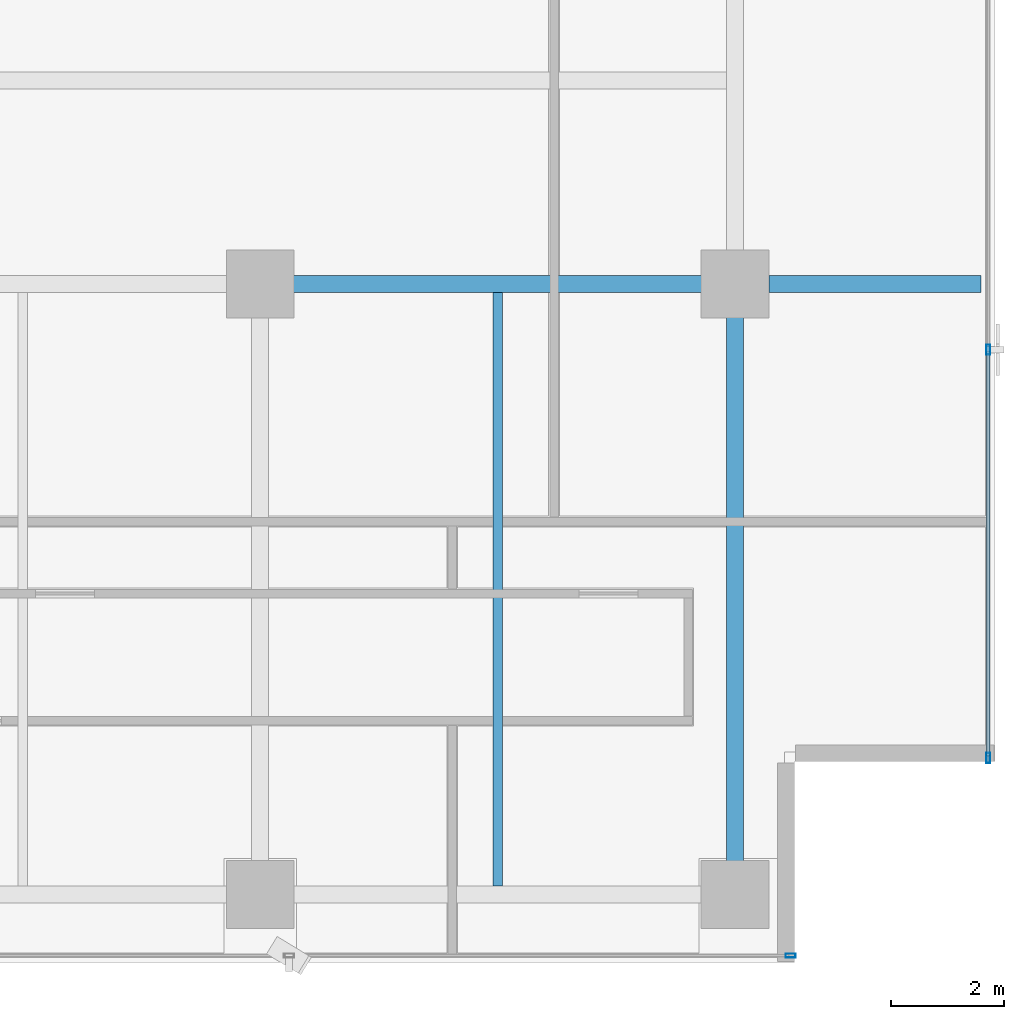
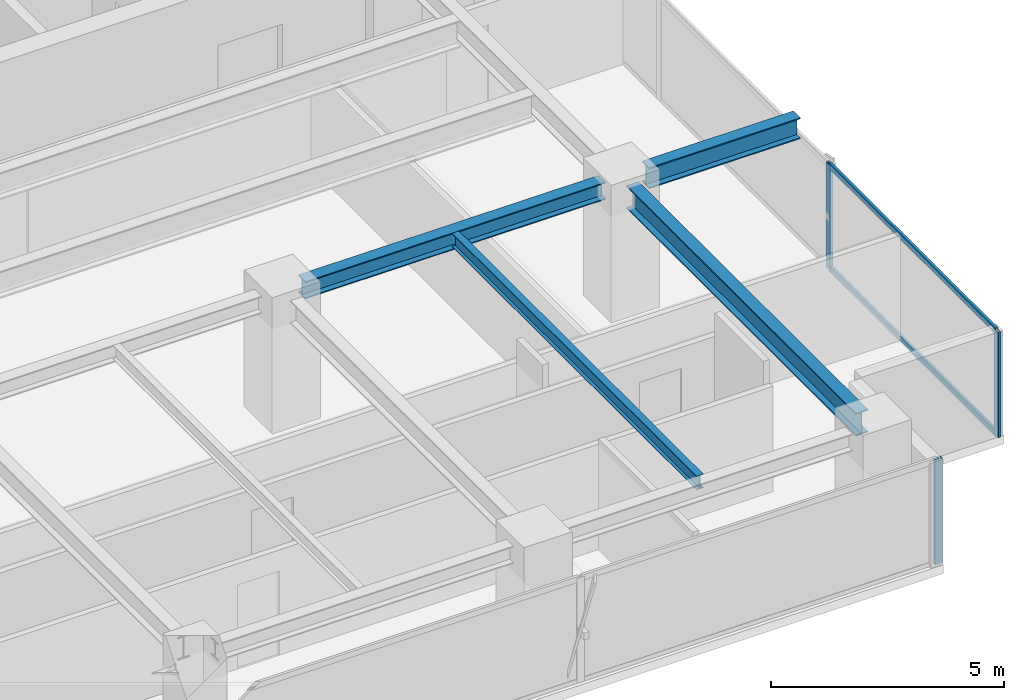
# One storey, part 8 of 22: 5 members, 4 beams, 2 elements without a shape of their own.
"""IFC4 building model written with IfcOpenShell, lengths in metres."""

from ifc_helpers import new_model, si_unit, direction, frame, origin, origin_2d, place, context, subcontext, project, spatial, hollow_rectangle, i_section, extrude, source, transform, mapped, material, layer, layer_set, material_profile, profile_set, type_object, element, aggregate, save


model = new_model("IFC4")

# Units and contexts
model_context = context("Model", 3, precision=1e-05, world=origin(), true_north=direction((0.0, 1.0)))
body_context = subcontext(model_context, "Body", "Model", "MODEL_VIEW")
ifc_project = project(units=[si_unit("LENGTHUNIT", "METRE"), si_unit("AREAUNIT", "SQUARE_METRE"), si_unit("VOLUMEUNIT", "CUBIC_METRE"), si_unit("PLANEANGLEUNIT", "RADIAN"), si_unit("MASSUNIT", "GRAM", prefix="KILO")], contexts=[model_context])

# Site, building, storey
site_placement = place(None, origin())
site = spatial("IfcSite", under=ifc_project, at=site_placement, CompositionType="ELEMENT")
building_placement = place(site_placement, origin())
building = spatial("IfcBuilding", under=site, at=building_placement, Name="Sumidabori Civic Tower", CompositionType="ELEMENT")
storey_placement = place(building_placement, frame((0.0, 0.0, 279.199951171875)))
storey = spatial("IfcBuildingStorey", under=building, at=storey_placement, Name="L73", CompositionType="ELEMENT", Elevation=279.199951171875)

# Beams
ifc_material_1 = material(Name="Steel SN490", Category="steel")
ifc_material_profile_1 = material_profile(ifc_material_1, i_section(OverallWidth=0.300048828125, OverallDepth=0.60009765625, WebThickness=0.015380859375, FlangeThickness=0.030029296875, at=origin_2d()), Name="HE 600 B")
ifc_profile_set_1 = profile_set([ifc_material_profile_1], Name="Steel SN490")
beam_type_1 = type_object("IfcBeamType", Name="BM-GIRD-600", PredefinedType="BEAM", material=ifc_profile_set_1)
shared_shape_1 = source(origin(), body_context, "Body", "SweptSolid", [
    extrude(i_section(OverallWidth=0.300048828125, OverallDepth=0.60009765625, WebThickness=0.015380859375, FlangeThickness=0.030029296875, at=origin_2d()), origin(), (0.0, 0.0, 1.0), 9.840087890625),
])
beam_1_placement = place(storey_placement, frame((16.800048828125, -10.320068359375, 3.070068359375), z_axis=(0.0, 1.0, 0.0), x_axis=(-1.0, 0.0, 0.0)))
element("IfcBeam", 1, at=beam_1_placement, inside=storey, type_object=beam_type_1, Name="Primary Girder L73 GY-15", PredefinedType="BEAM", context=body_context, shape_type="MappedRepresentation", body=[
    mapped(shared_shape_1, transform((0.0, 0.0, 0.0), x_axis=(1.0, 0.0, 0.0), y_axis=(0.0, 1.0, 0.0), z_axis=(0.0, 0.0, 1.0), scale=1.0)),
])
ifc_material_profile_2 = material_profile(ifc_material_1, i_section(OverallWidth=0.300048828125, OverallDepth=0.449951171875, WebThickness=0.013916015625, FlangeThickness=0.02587890625, at=origin_2d()), Name="HE 450 B")
ifc_profile_set_2 = profile_set([ifc_material_profile_2], Name="Steel SN490")
beam_type_2 = type_object("IfcBeamType", Name="BM-GIRD-450", PredefinedType="BEAM", material=ifc_profile_set_2)
shared_shape_2 = source(origin(), body_context, "Body", "SweptSolid", [
    extrude(i_section(OverallWidth=0.300048828125, OverallDepth=0.449951171875, WebThickness=0.013916015625, FlangeThickness=0.02587890625, at=origin_2d()), origin(), (0.0, 0.0, 1.0), 7.440185546875),
])
beam_2_placement = place(storey_placement, frame((8.8798828125, 0.0, 3.14501953125), z_axis=(1.0, 0.0, 0.0), x_axis=(0.0, 1.0, 0.0)))
element("IfcBeam", 2, at=beam_2_placement, inside=storey, type_object=beam_type_2, Name="Primary Girder L73 GX-08", PredefinedType="BEAM", context=body_context, shape_type="MappedRepresentation", body=[
    mapped(shared_shape_2, transform((0.0, 0.0, 0.0), x_axis=(1.0, 0.0, 0.0), y_axis=(0.0, 1.0, 0.0), z_axis=(0.0, 0.0, 1.0), scale=1.0)),
])
ifc_material_profile_3 = material_profile(ifc_material_1, i_section(OverallWidth=0.169921875, OverallDepth=0.360107421875, WebThickness=0.008056640625, FlangeThickness=0.0126953125, at=origin_2d()), Name="IPE 360")
ifc_profile_set_3 = profile_set([ifc_material_profile_3], Name="Steel SN490")
beam_type_3 = type_object("IfcBeamType", Name="BM-JST-360", PredefinedType="JOIST", material=ifc_profile_set_3)
shared_shape_3 = source(origin(), body_context, "Body", "SweptSolid", [
    extrude(i_section(OverallWidth=0.169921875, OverallDepth=0.360107421875, WebThickness=0.008056640625, FlangeThickness=0.0126953125, at=origin_2d()), origin(), (0.0, 0.0, 1.0), 10.5),
])
beam_3_placement = place(storey_placement, frame((12.60009765625, -10.64990234375, 3.18994140625), z_axis=(0.0, 1.0, 0.0), x_axis=(-1.0, 0.0, 0.0)))
element("IfcBeam", 3, at=beam_3_placement, inside=storey, type_object=beam_type_3, Name="Upper Lens N-S Floor Joist L73 JSTV-27", PredefinedType="JOIST", context=body_context, shape_type="MappedRepresentation", body=[
    mapped(shared_shape_3, transform((0.0, 0.0, 0.0), x_axis=(1.0, 0.0, 0.0), y_axis=(0.0, 1.0, 0.0), z_axis=(0.0, 0.0, 1.0), scale=1.0)),
])
ifc_material_profile_4 = material_profile(ifc_material_1, i_section(OverallWidth=0.300048828125, OverallDepth=0.550048828125, WebThickness=0.014892578125, FlangeThickness=0.029052734375, at=origin_2d()), Name="HE 550 B")
ifc_profile_set_4 = profile_set([ifc_material_profile_4], Name="Steel SN490")
beam_type_4 = type_object("IfcBeamType", Name="BM-Z4-EDGE", PredefinedType="SPANDREL", material=ifc_profile_set_4)
shared_shape_4 = source(origin(), body_context, "Body", "SweptSolid", [
    extrude(i_section(OverallWidth=0.300048828125, OverallDepth=0.550048828125, WebThickness=0.014892578125, FlangeThickness=0.029052734375, at=origin_2d()), origin(), (0.0, 0.0, 1.0), 3.75),
])
beam_4_placement = place(storey_placement, frame((17.39990234375, 0.0, 3.094970703125), z_axis=(1.0, 0.0, 0.0), x_axis=(0.0, 1.0, 0.0)))
element("IfcBeam", 4, at=beam_4_placement, inside=storey, type_object=beam_type_4, Name="Perimeter Overhang Beam L73 E-18", PredefinedType="SPANDREL", context=body_context, shape_type="MappedRepresentation", body=[
    mapped(shared_shape_4, transform((0.0, 0.0, 0.0), x_axis=(1.0, 0.0, 0.0), y_axis=(0.0, 1.0, 0.0), z_axis=(0.0, 0.0, 1.0), scale=1.0)),
])

# Curtain wall, member
ifc_material_2 = material(Name="Anodised Bronze Aluminium AW-6063-T6", Category="aluminium")
ifc_layer = layer(ifc_material_2, 0.179931640625, Name="Anodised Bronze Aluminium AW-6063-T6")
ifc_layer_set = layer_set([ifc_layer], Name="Anodised Bronze Aluminium AW-6063-T6")
curtain_wall_type = type_object("IfcCurtainWallType", Name="CW-SYS-6", PredefinedType="NOTDEFINED", material=ifc_layer_set)
curtain_wall_1_placement = place(storey_placement, origin())
curtain_wall_1 = element("IfcCurtainWall", 5, at=curtain_wall_1_placement, inside=storey, type_object=curtain_wall_type, Name="Curtain Wall CW:L73:R01", PredefinedType="NOTDEFINED")
ifc_material_profile_5 = material_profile(ifc_material_2, hollow_rectangle(XDim=0.070068359375, YDim=0.179931640625, WallThickness=0.006103515625, at=origin_2d()), Name="ALU MULLION 180x70")
ifc_profile_set_5 = profile_set([ifc_material_profile_5], Name="Anodised Bronze Aluminium AW-6063-T6")
member_type_1 = type_object("IfcMemberType", Name="CW-MUL-180", PredefinedType="MULLION", material=ifc_profile_set_5)
shared_shape_5 = source(origin(), body_context, "Body", "SweptSolid", [
    extrude(hollow_rectangle(XDim=0.070068359375, YDim=0.179931640625, WallThickness=0.006103515625, at=origin_2d()), origin(), (0.0, 0.0, 1.0), 2.75),
])
member_1_placement = place(storey_placement, frame((17.784912109375, -11.8798828125, 0.0), z_axis=(0.0, 0.0, 1.0), x_axis=(0.0, 1.0, 0.0)))
member_1 = element("IfcMember", 6, at=member_1_placement, type_object=member_type_1, Name="CW-6 mullion 5", PredefinedType="MULLION", context=body_context, shape_type="MappedRepresentation", body=[
    mapped(shared_shape_5, transform((0.0, 0.0, 0.0), x_axis=(1.0, 0.0, 0.0), y_axis=(0.0, 1.0, 0.0), z_axis=(0.0, 0.0, 1.0), scale=1.0)),
])
aggregate(curtain_wall_1, [member_1])

# Curtain wall, members
curtain_wall_2_placement = place(storey_placement, origin())
curtain_wall_2 = element("IfcCurtainWall", 7, at=curtain_wall_2_placement, inside=storey, type_object=curtain_wall_type, Name="Curtain Wall CW:L73:R04", PredefinedType="NOTDEFINED")
member_2_placement = place(storey_placement, frame((21.280029296875, -8.385009765625, 0.0), z_axis=(0.0, 0.0, 1.0), x_axis=(-1.0, 0.0, 0.0)))
member_2 = element("IfcMember", 8, at=member_2_placement, type_object=member_type_1, Name="CW-6 mullion 1", PredefinedType="MULLION", context=body_context, shape_type="MappedRepresentation", body=[
    mapped(shared_shape_5, transform((0.0, 0.0, 0.0), x_axis=(1.0, 0.0, 0.0), y_axis=(0.0, 1.0, 0.0), z_axis=(0.0, 0.0, 1.0), scale=1.0)),
])
member_3_placement = place(storey_placement, frame((21.280029296875, -1.159912109375, 0.0), z_axis=(0.0, 0.0, 1.0), x_axis=(-1.0, 0.0, 0.0)))
member_3 = element("IfcMember", 9, at=member_3_placement, type_object=member_type_1, Name="CW-6 mullion 2", PredefinedType="MULLION", context=body_context, shape_type="MappedRepresentation", body=[
    mapped(shared_shape_5, transform((0.0, 0.0, 0.0), x_axis=(1.0, 0.0, 0.0), y_axis=(0.0, 1.0, 0.0), z_axis=(0.0, 0.0, 1.0), scale=1.0)),
])
ifc_material_profile_6 = material_profile(ifc_material_2, hollow_rectangle(XDim=0.06494140625, YDim=0.14990234375, WallThickness=0.0048828125, at=origin_2d()), Name="ALU TRANSOM 150x65")
ifc_profile_set_6 = profile_set([ifc_material_profile_6], Name="Anodised Bronze Aluminium AW-6063-T6")
member_type_2 = type_object("IfcMemberType", Name="CW-TRN-150", PredefinedType="USERDEFINED", material=ifc_profile_set_6)
shared_shape_6 = source(origin(), body_context, "Body", "SweptSolid", [
    extrude(hollow_rectangle(XDim=0.06494140625, YDim=0.14990234375, WallThickness=0.0048828125, at=origin_2d()), origin(), (0.0, 0.0, 1.0), 7.155029296875),
])
member_4_placement = place(storey_placement, frame((21.280029296875, -8.35009765625, 0.032470703125), z_axis=(0.0, 1.0, 0.0), x_axis=(-1.0, 0.0, 0.0)))
member_4 = element("IfcMember", 10, at=member_4_placement, type_object=member_type_2, Name="CW-6 transom 1.1", ObjectType="TRANSOM", PredefinedType="USERDEFINED", context=body_context, shape_type="MappedRepresentation", body=[
    mapped(shared_shape_6, transform((0.0, 0.0, 0.0), x_axis=(1.0, 0.0, 0.0), y_axis=(0.0, 1.0, 0.0), z_axis=(0.0, 0.0, 1.0), scale=1.0)),
])
member_5_placement = place(storey_placement, frame((21.280029296875, -8.35009765625, 2.717529296875), z_axis=(0.0, 1.0, 0.0), x_axis=(-1.0, 0.0, 0.0)))
member_5 = element("IfcMember", 11, at=member_5_placement, type_object=member_type_2, Name="CW-6 transom 1.2", ObjectType="TRANSOM", PredefinedType="USERDEFINED", context=body_context, shape_type="MappedRepresentation", body=[
    mapped(shared_shape_6, transform((0.0, 0.0, 0.0), x_axis=(1.0, 0.0, 0.0), y_axis=(0.0, 1.0, 0.0), z_axis=(0.0, 0.0, 1.0), scale=1.0)),
])
aggregate(curtain_wall_2, [member_2, member_3, member_4, member_5])

save(model, "model.ifc")
